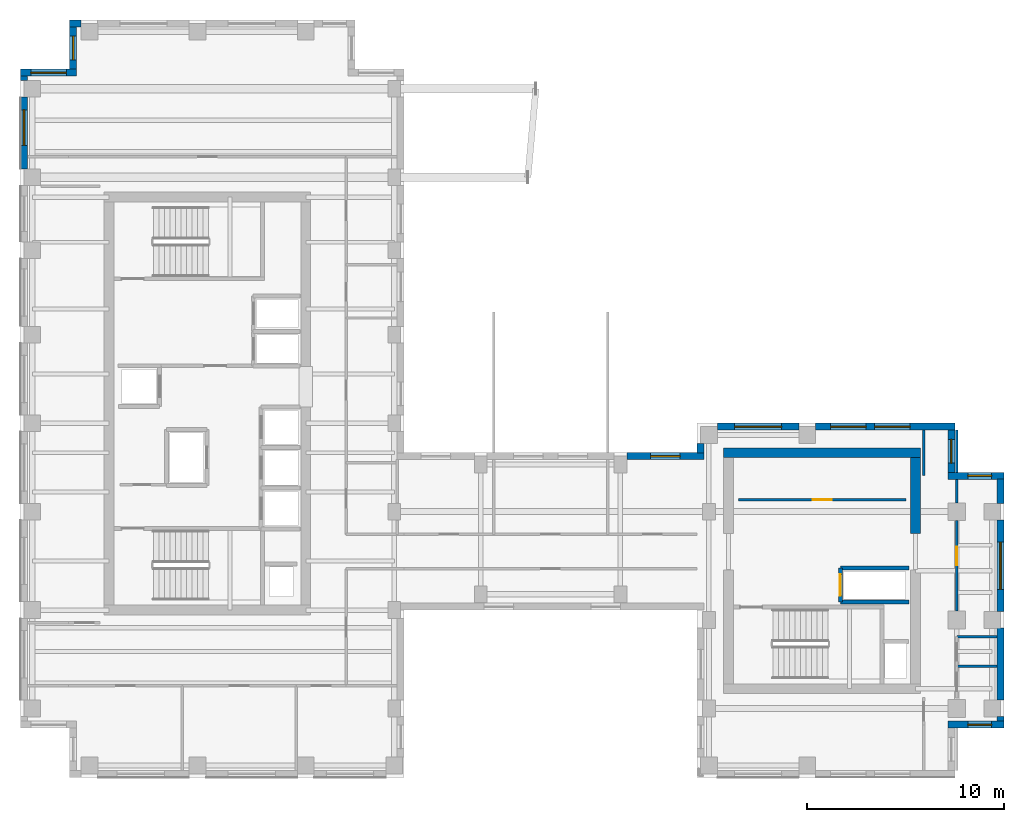
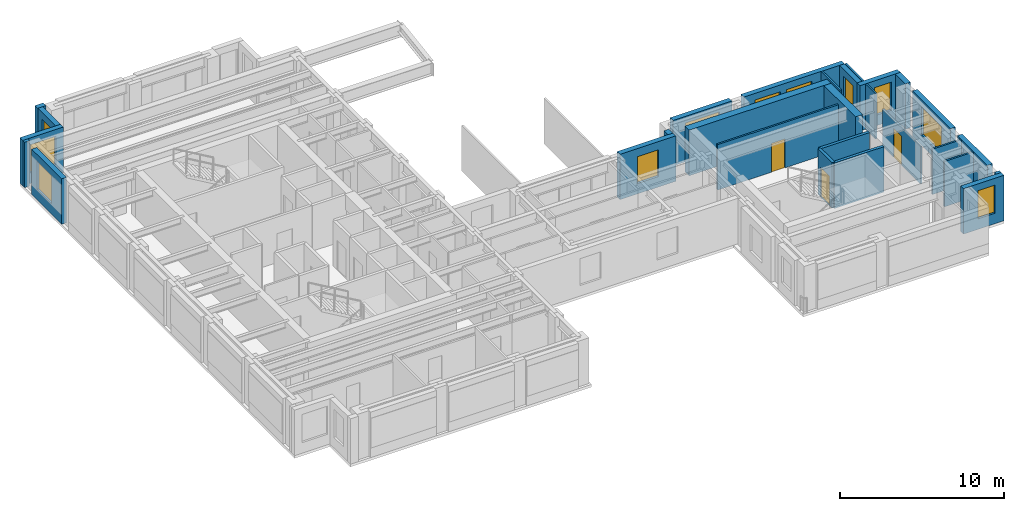
# One storey, part 8 of 11: 28 walls, 11 windows, 3 doors, 14 openings.
"""IFC4 building model written with IfcOpenShell, lengths in metres."""

from ifc_helpers import new_model, si_unit, direction, frame, frame_2d, origin, place, context, subcontext, project, spatial, rectangle, extrude, source, transform, mapped, material, layer, layer_set, type_object, element, fill, save


model = new_model("IFC4")

# Units and contexts
model_context = context("Model", 3, precision=1e-05, world=origin(), true_north=direction((0.0, 1.0)))
body_context = subcontext(model_context, "Body", "Model", "MODEL_VIEW")
ifc_project = project(units=[si_unit("LENGTHUNIT", "METRE"), si_unit("AREAUNIT", "SQUARE_METRE"), si_unit("VOLUMEUNIT", "CUBIC_METRE"), si_unit("PLANEANGLEUNIT", "RADIAN"), si_unit("MASSUNIT", "GRAM", prefix="KILO")], contexts=[model_context])

# Site, building, storey
site_placement = place(None, origin())
site = spatial("IfcSite", under=ifc_project, at=site_placement, CompositionType="ELEMENT")
building_placement = place(site_placement, origin())
building = spatial("IfcBuilding", under=site, at=building_placement, Name="Kharzan Plaza Tower", CompositionType="ELEMENT")
storey_placement = place(building_placement, frame((0.0, 0.0, 234.0)))
storey = spatial("IfcBuildingStorey", under=building, at=storey_placement, Name="L63", CompositionType="ELEMENT", Elevation=234.0)

# Wall, opening, window
ifc_material_1 = material(Name="Concrete C40/50", Category="concrete")
ifc_layer_1 = layer(ifc_material_1, 0.35009765625)
ifc_layer_set_1 = layer_set([ifc_layer_1], Name="Concrete C40/50")
wall_type_1 = type_object("IfcWallType", Name="WL-EXT-MAS-Z4", PredefinedType="SOLIDWALL", material=ifc_layer_set_1)
wall_1_placement = place(storey_placement, frame((2.675048828125, 38.152099609375, 0.0), z_axis=(0.0, 0.0, 1.0), x_axis=(0.0, -1.0, 0.0)))
wall_1 = element("IfcWall", 1, at=wall_1_placement, inside=storey, type_object=wall_type_1, Name="L63 Masonry-Frame Exterior Wall 13", PredefinedType="SOLIDWALL", context=body_context, shape_type="SweptSolid", body=[
    extrude(rectangle(XDim=2.154052734375, YDim=0.35009765625, at=frame_2d((1.0771484375, 0.0))), origin(), (0.0, 0.0, 1.0), 3.385009765625),
])
opening_1_placement = place(wall_1_placement, frame((0.47705078125, 0.0, 0.780029296875)))
opening_1 = element("IfcOpeningElement", 2, at=opening_1_placement, cuts=wall_1, Name="Opening W3", PredefinedType="OPENING", context=body_context, shape_type="SweptSolid", body=[
    extrude(rectangle(XDim=1.199951171875, YDim=2.10009765625, at=frame_2d((0.60009765625, 1.050048828125))), frame((0.0, 0.18505859375, 0.0), z_axis=(0.0, -1.0, 0.0), x_axis=(1.0, 0.0, 0.0)), (0.0, 0.0, 1.0), 0.3701171875),
])
ifc_material_2 = material(Name="Low-E Double Glazing", Category="glass")
window_type_1 = type_object("IfcWindowType", Name="WN-REC-1200x2100", PartitioningType="SINGLE_PANEL", PredefinedType="WINDOW", material=ifc_material_2)
shared_shape_1 = source(origin(), body_context, "Body", "SweptSolid", [
    extrude(rectangle(XDim=1.199951171875, YDim=2.10009765625, at=frame_2d((0.60009765625, 1.050048828125))), frame((0.0, 0.030029296875, 0.0), z_axis=(0.0, -1.0, 0.0), x_axis=(1.0, 0.0, 0.0)), (0.0, 0.0, 1.0), 0.06005859375),
])
window_1_placement = place(opening_1_placement, origin())
window_1 = element("IfcWindow", 3, at=window_1_placement, inside=storey, type_object=window_type_1, Name="L63 Recessed Solar-Control Window 13-1", OverallHeight=2.10009765625, OverallWidth=1.199951171875, PartitioningType="SINGLE_PANEL", PredefinedType="WINDOW", context=body_context, shape_type="MappedRepresentation", body=[
    mapped(shared_shape_1, transform((0.0, 0.0, 0.0), x_axis=(1.0, 0.0, 0.0), y_axis=(0.0, 1.0, 0.0), z_axis=(0.0, 0.0, 1.0))),
])
fill(opening_1, window_1)

wall_2_placement = place(storey_placement, frame((2.85009765625, 35.824951171875, 0.0), z_axis=(0.0, 0.0, 1.0), x_axis=(-1.0, 0.0, 0.0)))
wall_2 = element("IfcWall", 4, at=wall_2_placement, inside=storey, type_object=wall_type_1, Name="L63 Masonry-Frame Exterior Wall 14", PredefinedType="SOLIDWALL", context=body_context, shape_type="SweptSolid", body=[
    extrude(rectangle(XDim=2.85009765625, YDim=0.35009765625, at=frame_2d((1.425048828125, 0.0))), origin(), (0.0, 0.0, 1.0), 3.385009765625),
])
opening_2_placement = place(wall_2_placement, frame((0.52490234375, 0.0, 0.780029296875)))
opening_2 = element("IfcOpeningElement", 5, at=opening_2_placement, cuts=wall_2, Name="Opening W1", PredefinedType="OPENING", context=body_context, shape_type="SweptSolid", body=[
    extrude(rectangle(XDim=1.800048828125, YDim=2.10009765625, at=frame_2d((0.89990234375, 1.050048828125))), frame((0.0, 0.18505859375, 0.0), z_axis=(0.0, -1.0, 0.0), x_axis=(1.0, 0.0, 0.0)), (0.0, 0.0, 1.0), 0.3701171875),
])
window_type_2 = type_object("IfcWindowType", Name="WN-REC-1800x2100", PartitioningType="SINGLE_PANEL", PredefinedType="WINDOW", material=ifc_material_2)
shared_shape_2 = source(origin(), body_context, "Body", "SweptSolid", [
    extrude(rectangle(XDim=1.800048828125, YDim=2.10009765625, at=frame_2d((0.89990234375, 1.050048828125))), frame((0.0, 0.030029296875, 0.0), z_axis=(0.0, -1.0, 0.0), x_axis=(1.0, 0.0, 0.0)), (0.0, 0.0, 1.0), 0.06005859375),
])
window_2_placement = place(opening_2_placement, origin())
window_2 = element("IfcWindow", 6, at=window_2_placement, inside=storey, type_object=window_type_2, Name="L63 Recessed Solar-Control Window 14-1", OverallHeight=2.10009765625, OverallWidth=1.800048828125, PartitioningType="SINGLE_PANEL", PredefinedType="WINDOW", context=body_context, shape_type="MappedRepresentation", body=[
    mapped(shared_shape_2, transform((0.0, 0.0, 0.0), x_axis=(1.0, 0.0, 0.0), y_axis=(0.0, 1.0, 0.0), z_axis=(0.0, 0.0, 1.0))),
])
fill(opening_2, window_2)

wall_3_placement = place(storey_placement, frame((0.175048828125, 34.576904296875, 0.0), z_axis=(0.0, 0.0, 1.0), x_axis=(0.0, -1.0, 0.0)))
wall_3 = element("IfcWall", 7, at=wall_3_placement, inside=storey, type_object=wall_type_1, Name="L63 Masonry-Frame Exterior Wall 16", PredefinedType="SOLIDWALL", context=body_context, shape_type="SweptSolid", body=[
    extrude(rectangle(XDim=3.65380859375, YDim=0.35009765625, at=frame_2d((1.826904296875, 0.0))), origin(), (0.0, 0.0, 1.0), 3.385009765625),
])
opening_3_placement = place(wall_3_placement, frame((0.6484375, 0.0, 0.780029296875)))
opening_3 = element("IfcOpeningElement", 8, at=opening_3_placement, cuts=wall_3, Name="Opening W1", PredefinedType="OPENING", context=body_context, shape_type="SweptSolid", body=[
    extrude(rectangle(XDim=1.800048828125, YDim=2.10009765625, at=frame_2d((0.89990234375, 1.050048828125))), frame((0.0, 0.18505859375, 0.0), z_axis=(0.0, -1.0, 0.0), x_axis=(1.0, 0.0, 0.0)), (0.0, 0.0, 1.0), 0.3701171875),
])
window_3_placement = place(opening_3_placement, origin())
window_3 = element("IfcWindow", 9, at=window_3_placement, inside=storey, type_object=window_type_2, Name="L63 Recessed Solar-Control Window 16-1", OverallHeight=2.10009765625, OverallWidth=1.800048828125, PartitioningType="SINGLE_PANEL", PredefinedType="WINDOW", context=body_context, shape_type="MappedRepresentation", body=[
    mapped(shared_shape_2, transform((0.0, 0.0, 0.0), x_axis=(1.0, 0.0, 0.0), y_axis=(0.0, 1.0, 0.0), z_axis=(0.0, 0.0, 1.0))),
])
fill(opening_3, window_3)

wall_4_placement = place(storey_placement, frame((47.14990234375, 2.675048828125, 0.0), z_axis=(0.0, 0.0, 1.0), x_axis=(1.0, 0.0, 0.0)))
wall_4 = element("IfcWall", 10, at=wall_4_placement, inside=storey, type_object=wall_type_1, Name="L63 Masonry-Frame Exterior Wall 38", PredefinedType="SOLIDWALL", context=body_context, shape_type="SweptSolid", body=[
    extrude(rectangle(XDim=2.85009765625, YDim=0.35009765625, at=frame_2d((1.425048828125, 0.0))), origin(), (0.0, 0.0, 1.0), 3.385009765625),
])
opening_4_placement = place(wall_4_placement, frame((1.014892578125, 0.0, 0.780029296875)))
opening_4 = element("IfcOpeningElement", 11, at=opening_4_placement, cuts=wall_4, Name="Opening W3", PredefinedType="OPENING", context=body_context, shape_type="SweptSolid", body=[
    extrude(rectangle(XDim=1.199951171875, YDim=2.10009765625, at=frame_2d((0.60009765625, 1.050048828125))), frame((0.0, 0.18505859375, 0.0), z_axis=(0.0, -1.0, 0.0), x_axis=(1.0, 0.0, 0.0)), (0.0, 0.0, 1.0), 0.3701171875),
])
window_4_placement = place(opening_4_placement, origin())
window_4 = element("IfcWindow", 12, at=window_4_placement, inside=storey, type_object=window_type_1, Name="L63 Recessed Solar-Control Window 38-1", OverallHeight=2.10009765625, OverallWidth=1.199951171875, PartitioningType="SINGLE_PANEL", PredefinedType="WINDOW", context=body_context, shape_type="MappedRepresentation", body=[
    mapped(shared_shape_1, transform((0.0, 0.0, 0.0), x_axis=(1.0, 0.0, 0.0), y_axis=(0.0, 1.0, 0.0), z_axis=(0.0, 0.0, 1.0))),
])
fill(opening_4, window_4)

wall_5_placement = place(storey_placement, frame((49.824951171875, 8.423095703125, 0.0), z_axis=(0.0, 0.0, 1.0), x_axis=(0.0, 1.0, 0.0)))
wall_5 = element("IfcWall", 13, at=wall_5_placement, inside=storey, type_object=wall_type_1, Name="L63 Masonry-Frame Exterior Wall 41", PredefinedType="SOLIDWALL", context=body_context, shape_type="SweptSolid", body=[
    extrude(rectangle(XDim=4.65380859375, YDim=0.35009765625, at=frame_2d((2.326904296875, 0.0))), origin(), (0.0, 0.0, 1.0), 3.385009765625),
])
opening_5_placement = place(wall_5_placement, frame((1.126953125, 0.0, 0.780029296875)))
opening_5 = element("IfcOpeningElement", 14, at=opening_5_placement, cuts=wall_5, Name="Opening W2", PredefinedType="OPENING", context=body_context, shape_type="SweptSolid", body=[
    extrude(rectangle(XDim=2.39990234375, YDim=2.10009765625, at=frame_2d((1.199951171875, 1.050048828125))), frame((0.0, 0.18505859375, 0.0), z_axis=(0.0, -1.0, 0.0), x_axis=(1.0, 0.0, 0.0)), (0.0, 0.0, 1.0), 0.3701171875),
])
window_type_3 = type_object("IfcWindowType", Name="WN-REC-2400x2100", PartitioningType="SINGLE_PANEL", PredefinedType="WINDOW", material=ifc_material_2)
shared_shape_3 = source(origin(), body_context, "Body", "SweptSolid", [
    extrude(rectangle(XDim=2.39990234375, YDim=2.10009765625, at=frame_2d((1.199951171875, 1.050048828125))), frame((0.0, 0.030029296875, 0.0), z_axis=(0.0, -1.0, 0.0), x_axis=(1.0, 0.0, 0.0)), (0.0, 0.0, 1.0), 0.06005859375),
])
window_5_placement = place(opening_5_placement, origin())
window_5 = element("IfcWindow", 15, at=window_5_placement, inside=storey, type_object=window_type_3, Name="L63 Wide Recessed Solar-Control Window 41-1", OverallHeight=2.10009765625, OverallWidth=2.39990234375, PartitioningType="SINGLE_PANEL", PredefinedType="WINDOW", context=body_context, shape_type="MappedRepresentation", body=[
    mapped(shared_shape_3, transform((0.0, 0.0, 0.0), x_axis=(1.0, 0.0, 0.0), y_axis=(0.0, 1.0, 0.0), z_axis=(0.0, 0.0, 1.0))),
])
fill(opening_5, window_5)

wall_6_placement = place(storey_placement, frame((50.0, 15.324951171875, 0.0), z_axis=(0.0, 0.0, 1.0), x_axis=(-1.0, 0.0, 0.0)))
wall_6 = element("IfcWall", 16, at=wall_6_placement, inside=storey, type_object=wall_type_1, Name="L63 Masonry-Frame Exterior Wall 43", PredefinedType="SOLIDWALL", context=body_context, shape_type="SweptSolid", body=[
    extrude(rectangle(XDim=2.85009765625, YDim=0.35009765625, at=frame_2d((1.425048828125, 0.0))), origin(), (0.0, 0.0, 1.0), 3.385009765625),
])
opening_6_placement = place(wall_6_placement, frame((0.635009765625, 0.0, 0.780029296875)))
opening_6 = element("IfcOpeningElement", 17, at=opening_6_placement, cuts=wall_6, Name="Opening W3", PredefinedType="OPENING", context=body_context, shape_type="SweptSolid", body=[
    extrude(rectangle(XDim=1.199951171875, YDim=2.10009765625, at=frame_2d((0.60009765625, 1.050048828125))), frame((0.0, 0.18505859375, 0.0), z_axis=(0.0, -1.0, 0.0), x_axis=(1.0, 0.0, 0.0)), (0.0, 0.0, 1.0), 0.3701171875),
])
window_6_placement = place(opening_6_placement, origin())
window_6 = element("IfcWindow", 18, at=window_6_placement, inside=storey, type_object=window_type_1, Name="L63 Recessed Solar-Control Window 43-1", OverallHeight=2.10009765625, OverallWidth=1.199951171875, PartitioningType="SINGLE_PANEL", PredefinedType="WINDOW", context=body_context, shape_type="MappedRepresentation", body=[
    mapped(shared_shape_1, transform((0.0, 0.0, 0.0), x_axis=(1.0, 0.0, 0.0), y_axis=(0.0, 1.0, 0.0), z_axis=(0.0, 0.0, 1.0))),
])
fill(opening_6, window_6)

wall_7_placement = place(storey_placement, frame((47.324951171875, 15.498046875, 0.0), z_axis=(0.0, 0.0, 1.0), x_axis=(0.0, 1.0, 0.0)))
wall_7 = element("IfcWall", 19, at=wall_7_placement, inside=storey, type_object=wall_type_1, Name="L63 Masonry-Frame Exterior Wall 44", PredefinedType="SOLIDWALL", context=body_context, shape_type="SweptSolid", body=[
    extrude(rectangle(XDim=2.154052734375, YDim=0.35009765625, at=frame_2d((1.0771484375, 0.0))), origin(), (0.0, 0.0, 1.0), 3.385009765625),
])
opening_7_placement = place(wall_7_placement, frame((0.47705078125, 0.0, 0.780029296875)))
opening_7 = element("IfcOpeningElement", 20, at=opening_7_placement, cuts=wall_7, Name="Opening W3", PredefinedType="OPENING", context=body_context, shape_type="SweptSolid", body=[
    extrude(rectangle(XDim=1.199951171875, YDim=2.10009765625, at=frame_2d((0.60009765625, 1.050048828125))), frame((0.0, 0.18505859375, 0.0), z_axis=(0.0, -1.0, 0.0), x_axis=(1.0, 0.0, 0.0)), (0.0, 0.0, 1.0), 0.3701171875),
])
window_7_placement = place(opening_7_placement, origin())
window_7 = element("IfcWindow", 21, at=window_7_placement, inside=storey, type_object=window_type_1, Name="L63 Recessed Solar-Control Window 44-1", OverallHeight=2.10009765625, OverallWidth=1.199951171875, PartitioningType="SINGLE_PANEL", PredefinedType="WINDOW", context=body_context, shape_type="MappedRepresentation", body=[
    mapped(shared_shape_1, transform((0.0, 0.0, 0.0), x_axis=(1.0, 0.0, 0.0), y_axis=(0.0, 1.0, 0.0), z_axis=(0.0, 0.0, 1.0))),
])
fill(opening_7, window_7)

# Wall, openings, windows
wall_8_placement = place(storey_placement, frame((47.5, 17.824951171875, 0.0), z_axis=(0.0, 0.0, 1.0), x_axis=(-1.0, 0.0, 0.0)))
wall_8 = element("IfcWall", 22, at=wall_8_placement, inside=storey, type_object=wall_type_1, Name="L63 Masonry-Frame Exterior Wall 45", PredefinedType="SOLIDWALL", context=body_context, shape_type="SweptSolid", body=[
    extrude(rectangle(XDim=7.076904296875, YDim=0.35009765625, at=frame_2d((3.53857421875, 0.0))), origin(), (0.0, 0.0, 1.0), 3.385009765625),
])
opening_8_placement = place(wall_8_placement, frame((2.272216796875, 0.0, 0.780029296875)))
opening_8 = element("IfcOpeningElement", 23, at=opening_8_placement, cuts=wall_8, Name="Opening W1", PredefinedType="OPENING", context=body_context, shape_type="SweptSolid", body=[
    extrude(rectangle(XDim=1.800048828125, YDim=2.10009765625, at=frame_2d((0.89990234375, 1.050048828125))), frame((0.0, 0.18505859375, 0.0), z_axis=(0.0, -1.0, 0.0), x_axis=(1.0, 0.0, 0.0)), (0.0, 0.0, 1.0), 0.3701171875),
])
opening_9_placement = place(wall_8_placement, frame((4.5146484375, 0.0, 0.780029296875)))
opening_9 = element("IfcOpeningElement", 24, at=opening_9_placement, cuts=wall_8, Name="Opening W1", PredefinedType="OPENING", context=body_context, shape_type="SweptSolid", body=[
    extrude(rectangle(XDim=1.800048828125, YDim=2.10009765625, at=frame_2d((0.89990234375, 1.050048828125))), frame((0.0, 0.18505859375, 0.0), z_axis=(0.0, -1.0, 0.0), x_axis=(1.0, 0.0, 0.0)), (0.0, 0.0, 1.0), 0.3701171875),
])
window_8_placement = place(opening_8_placement, origin())
window_8 = element("IfcWindow", 25, at=window_8_placement, inside=storey, type_object=window_type_2, Name="L63 Recessed Solar-Control Window 45-1", OverallHeight=2.10009765625, OverallWidth=1.800048828125, PartitioningType="SINGLE_PANEL", PredefinedType="WINDOW", context=body_context, shape_type="MappedRepresentation", body=[
    mapped(shared_shape_2, transform((0.0, 0.0, 0.0), x_axis=(1.0, 0.0, 0.0), y_axis=(0.0, 1.0, 0.0), z_axis=(0.0, 0.0, 1.0))),
])
fill(opening_8, window_8)
window_9_placement = place(opening_9_placement, origin())
window_9 = element("IfcWindow", 26, at=window_9_placement, inside=storey, type_object=window_type_2, Name="L63 Recessed Solar-Control Window 45-2", OverallHeight=2.10009765625, OverallWidth=1.800048828125, PartitioningType="SINGLE_PANEL", PredefinedType="WINDOW", context=body_context, shape_type="MappedRepresentation", body=[
    mapped(shared_shape_2, transform((0.0, 0.0, 0.0), x_axis=(1.0, 0.0, 0.0), y_axis=(0.0, 1.0, 0.0), z_axis=(0.0, 0.0, 1.0))),
])
fill(opening_9, window_9)

# Wall, opening, window
wall_9_placement = place(storey_placement, frame((39.576904296875, 17.824951171875, 0.0), z_axis=(0.0, 0.0, 1.0), x_axis=(-1.0, 0.0, 0.0)))
wall_9 = element("IfcWall", 27, at=wall_9_placement, inside=storey, type_object=wall_type_1, Name="L63 Masonry-Frame Exterior Wall 46", PredefinedType="SOLIDWALL", context=body_context, shape_type="SweptSolid", body=[
    extrude(rectangle(XDim=4.15380859375, YDim=0.35009765625, at=frame_2d((2.076904296875, 0.0))), origin(), (0.0, 0.0, 1.0), 3.385009765625),
])
opening_10_placement = place(wall_9_placement, frame((0.876953125, 0.0, 0.780029296875)))
opening_10 = element("IfcOpeningElement", 28, at=opening_10_placement, cuts=wall_9, Name="Opening W2", PredefinedType="OPENING", context=body_context, shape_type="SweptSolid", body=[
    extrude(rectangle(XDim=2.39990234375, YDim=2.10009765625, at=frame_2d((1.199951171875, 1.050048828125))), frame((0.0, 0.18505859375, 0.0), z_axis=(0.0, -1.0, 0.0), x_axis=(1.0, 0.0, 0.0)), (0.0, 0.0, 1.0), 0.3701171875),
])
window_10_placement = place(opening_10_placement, origin())
window_10 = element("IfcWindow", 29, at=window_10_placement, inside=storey, type_object=window_type_3, Name="L63 Wide Recessed Solar-Control Window 46-1", OverallHeight=2.10009765625, OverallWidth=2.39990234375, PartitioningType="SINGLE_PANEL", PredefinedType="WINDOW", context=body_context, shape_type="MappedRepresentation", body=[
    mapped(shared_shape_3, transform((0.0, 0.0, 0.0), x_axis=(1.0, 0.0, 0.0), y_axis=(0.0, 1.0, 0.0), z_axis=(0.0, 0.0, 1.0))),
])
fill(opening_10, window_10)

wall_10_placement = place(storey_placement, frame((34.75, 16.324951171875, 0.0), z_axis=(0.0, 0.0, 1.0), x_axis=(-1.0, 0.0, 0.0)))
wall_10 = element("IfcWall", 30, at=wall_10_placement, inside=storey, type_object=wall_type_1, Name="L63 Masonry-Frame Exterior Wall 48", PredefinedType="SOLIDWALL", context=body_context, shape_type="SweptSolid", body=[
    extrude(rectangle(XDim=3.927001953125, YDim=0.35009765625, at=frame_2d((1.96337890625, 0.0))), origin(), (0.0, 0.0, 1.0), 3.385009765625),
])
opening_11_placement = place(wall_10_placement, frame((1.21337890625, 0.0, 0.780029296875)))
opening_11 = element("IfcOpeningElement", 31, at=opening_11_placement, cuts=wall_10, Name="Opening W5", PredefinedType="OPENING", context=body_context, shape_type="SweptSolid", body=[
    extrude(rectangle(XDim=1.5, YDim=2.0, at=frame_2d((0.75, 1.0))), frame((0.0, 0.18505859375, 0.0), z_axis=(0.0, -1.0, 0.0), x_axis=(1.0, 0.0, 0.0)), (0.0, 0.0, 1.0), 0.3701171875),
])
window_type_4 = type_object("IfcWindowType", Name="WN-SLT-1500x2000", PartitioningType="SINGLE_PANEL", PredefinedType="WINDOW", material=ifc_material_2)
shared_shape_4 = source(origin(), body_context, "Body", "SweptSolid", [
    extrude(rectangle(XDim=1.5, YDim=2.0, at=frame_2d((0.75, 1.0))), frame((0.0, 0.030029296875, 0.0), z_axis=(0.0, -1.0, 0.0), x_axis=(1.0, 0.0, 0.0)), (0.0, 0.0, 1.0), 0.06005859375),
])
window_11_placement = place(opening_11_placement, origin())
window_11 = element("IfcWindow", 32, at=window_11_placement, inside=storey, type_object=window_type_4, Name="L63 Recessed Solar-Control Window 48-1", OverallHeight=2.0, OverallWidth=1.5, PartitioningType="SINGLE_PANEL", PredefinedType="WINDOW", context=body_context, shape_type="MappedRepresentation", body=[
    mapped(shared_shape_4, transform((0.0, 0.0, 0.0), x_axis=(1.0, 0.0, 0.0), y_axis=(0.0, 1.0, 0.0), z_axis=(0.0, 0.0, 1.0))),
])
fill(opening_11, window_11)

# Wall, opening, door
ifc_material_3 = material(Name="Fire-Rated Gypsum Board Partition", Category="gypsum")
ifc_layer_2 = layer(ifc_material_3, 0.125)
ifc_layer_set_2 = layer_set([ifc_layer_2], Name="Fire-Rated Gypsum Board Partition")
wall_type_2 = type_object("IfcWallType", Name="WL-INT-PART-125", PredefinedType="PARTITIONING", material=ifc_layer_set_2)
wall_11_placement = place(storey_placement, frame((36.5, 14.1201171875, 0.0), z_axis=(0.0, 0.0, 1.0), x_axis=(1.0, 0.0, 0.0)))
wall_11 = element("IfcWall", 33, at=wall_11_placement, inside=storey, type_object=wall_type_2, Name="L63 Interior Partition CB-RBLS1", PredefinedType="PARTITIONING", context=body_context, shape_type="SweptSolid", body=[
    extrude(rectangle(XDim=8.52001953125, YDim=0.125, at=frame_2d((4.260009765625, 0.0))), origin(), (0.0, 0.0, 1.0), 3.385009765625),
])
opening_12_placement = place(wall_11_placement, frame((3.784912109375, 0.0, 0.0)))
opening_12 = element("IfcOpeningElement", 34, at=opening_12_placement, cuts=wall_11, Name="Opening OD1", PredefinedType="OPENING", context=body_context, shape_type="SweptSolid", body=[
    extrude(rectangle(XDim=0.949951171875, YDim=2.14990234375, at=frame_2d((0.47509765625, 1.074951171875))), frame((0.0, 0.072509765625, 0.0), z_axis=(0.0, -1.0, 0.0), x_axis=(1.0, 0.0, 0.0)), (0.0, 0.0, 1.0), 0.14501953125),
])
ifc_material_4 = material(Name="Acoustic Solid-Core Stained Oak", Category="timber")
door_type_1 = type_object("IfcDoorType", Name="DR-OFF-SINGLE", OperationType="NOTDEFINED", PredefinedType="DOOR", material=ifc_material_4)
shared_shape_5 = source(origin(), body_context, "Body", "SweptSolid", [
    extrude(rectangle(XDim=0.949951171875, YDim=2.14990234375, at=frame_2d((0.47509765625, 1.074951171875))), frame((0.0, 0.02490234375, 0.0), z_axis=(0.0, -1.0, 0.0), x_axis=(1.0, 0.0, 0.0)), (0.0, 0.0, 1.0), 0.050048828125),
])
door_1_placement = place(opening_12_placement, origin())
door_1 = element("IfcDoor", 35, at=door_1_placement, inside=storey, type_object=door_type_1, Name="L63 Mail Room Door", OperationType="SINGLE_SWING_RIGHT", OverallHeight=2.14990234375, OverallWidth=0.949951171875, PredefinedType="DOOR", context=body_context, shape_type="MappedRepresentation", body=[
    mapped(shared_shape_5, transform((0.0, 0.0, 0.0), x_axis=(1.0, 0.0, 0.0), y_axis=(0.0, 1.0, 0.0), z_axis=(0.0, 0.0, 1.0))),
])
fill(opening_12, door_1)

wall_12_placement = place(storey_placement, frame((47.60009765625, 8.449951171875, 0.0), z_axis=(0.0, 0.0, 1.0), x_axis=(0.0, 1.0, 0.0)))
wall_12 = element("IfcWall", 36, at=wall_12_placement, inside=storey, type_object=wall_type_2, Name="L63 Interior Partition SH-B0W1-S1", PredefinedType="PARTITIONING", context=body_context, shape_type="SweptSolid", body=[
    extrude(rectangle(XDim=4.60009765625, YDim=0.125, at=frame_2d((2.300048828125, 0.0))), origin(), (0.0, 0.0, 1.0), 2.77294921875),
])
opening_13_placement = place(wall_12_placement, frame((2.324951171875, 0.0, 0.0)))
opening_13 = element("IfcOpeningElement", 37, at=opening_13_placement, cuts=wall_12, Name="Opening OD1", PredefinedType="OPENING", context=body_context, shape_type="SweptSolid", body=[
    extrude(rectangle(XDim=0.949951171875, YDim=2.14990234375, at=frame_2d((0.47509765625, 1.074951171875))), frame((0.0, 0.072509765625, 0.0), z_axis=(0.0, -1.0, 0.0), x_axis=(1.0, 0.0, 0.0)), (0.0, 0.0, 1.0), 0.14501953125),
])
door_2_placement = place(opening_13_placement, origin())
door_2 = element("IfcDoor", 38, at=door_2_placement, inside=storey, type_object=door_type_1, Name="L63 Open Engineering Workspace Door", OperationType="SINGLE_SWING_LEFT", OverallHeight=2.14990234375, OverallWidth=0.949951171875, PredefinedType="DOOR", context=body_context, shape_type="MappedRepresentation", body=[
    mapped(shared_shape_5, transform((0.0, 0.0, 0.0), x_axis=(1.0, 0.0, 0.0), y_axis=(0.0, 1.0, 0.0), z_axis=(0.0, 0.0, 1.0))),
])
fill(opening_13, door_2)

ifc_layer_3 = layer(ifc_material_1, 0.199951171875)
ifc_layer_set_3 = layer_set([ifc_layer_3], Name="Concrete C40/50")
wall_type_3 = type_object("IfcWallType", Name="WL-INT-SHAFT-200", PredefinedType="PARTITIONING", material=ifc_layer_set_3)
wall_13_placement = place(storey_placement, frame((41.679931640625, 8.89990234375, 0.0), z_axis=(0.0, 0.0, 1.0), x_axis=(0.0, 1.0, 0.0)))
wall_13 = element("IfcWall", 39, at=wall_13_placement, inside=storey, type_object=wall_type_3, Name="L63 Interior Partition SHF-SVL-2-W", PredefinedType="PARTITIONING", context=body_context, shape_type="SweptSolid", body=[
    extrude(rectangle(XDim=1.739990234375, YDim=0.199951171875, at=frame_2d((0.8701171875, 0.0))), origin(), (0.0, 0.0, 1.0), 3.385009765625),
])
opening_14_placement = place(wall_13_placement, frame((0.320068359375, 0.0, 0.0)))
opening_14 = element("IfcOpeningElement", 40, at=opening_14_placement, cuts=wall_13, Name="Opening LD", PredefinedType="OPENING", context=body_context, shape_type="SweptSolid", body=[
    extrude(rectangle(XDim=1.10009765625, YDim=2.199951171875, at=frame_2d((0.550048828125, 1.10009765625))), frame((0.0, 0.10986328125, 0.0), z_axis=(0.0, -1.0, 0.0), x_axis=(1.0, 0.0, 0.0)), (0.0, 0.0, 1.0), 0.219970703125),
])
ifc_material_5 = material(Name="Brushed Stainless Steel", Category="steel")
door_type_2 = type_object("IfcDoorType", Name="DR-LIFT-SLIDE", OperationType="SLIDING_TO_LEFT", PredefinedType="DOOR", material=ifc_material_5)
shared_shape_6 = source(origin(), body_context, "Body", "SweptSolid", [
    extrude(rectangle(XDim=1.10009765625, YDim=2.199951171875, at=frame_2d((0.550048828125, 1.10009765625))), frame((0.0, 0.02490234375, 0.0), z_axis=(0.0, -1.0, 0.0), x_axis=(1.0, 0.0, 0.0)), (0.0, 0.0, 1.0), 0.050048828125),
])
door_3_placement = place(opening_14_placement, origin())
door_3 = element("IfcDoor", 41, at=door_3_placement, inside=storey, type_object=door_type_2, Name="L63 Service Lift SVL-2 Sliding Landing Door", OperationType="SLIDING_TO_LEFT", OverallHeight=2.199951171875, OverallWidth=1.10009765625, PredefinedType="DOOR", context=body_context, shape_type="MappedRepresentation", body=[
    mapped(shared_shape_6, transform((0.0, 0.0, 0.0), x_axis=(1.0, 0.0, 0.0), y_axis=(0.0, 1.0, 0.0), z_axis=(0.0, 0.0, 1.0))),
])
fill(opening_14, door_3)

# Walls
shared_shape_7 = source(origin(), body_context, "Body", "SweptSolid", [
    extrude(rectangle(XDim=2.2978515625, YDim=0.125, at=frame_2d((1.14892578125, 0.0))), origin(), (0.0, 0.0, 1.0), 3.385009765625),
])
wall_14_placement = place(storey_placement, frame((45.919921875, 15.35009765625, 0.0), z_axis=(0.0, 0.0, 1.0), x_axis=(0.0, 1.0, 0.0)))
element("IfcWall", 42, at=wall_14_placement, inside=storey, type_object=wall_type_2, Name="L63 Interior Partition SH-RBNE0", PredefinedType="PARTITIONING", context=body_context, shape_type="MappedRepresentation", body=[
    mapped(shared_shape_7, transform((0.0, 0.0, 0.0), x_axis=(1.0, 0.0, 0.0), y_axis=(0.0, 1.0, 0.0), z_axis=(0.0, 0.0, 1.0))),
])
shared_shape_8 = source(origin(), body_context, "Body", "SweptSolid", [
    extrude(rectangle(XDim=3.489990234375, YDim=0.199951171875, at=frame_2d((1.7451171875, 0.0))), origin(), (0.0, 0.0, 1.0), 3.385009765625),
])
for number, where, z_axis, x_axis, name in (
    (43, (41.679931640625, 10.639892578125, 0.0), (0.0, 0.0, 1.0), (1.0, 0.0, 0.0), "L63 Interior Partition SHF-SVL-2-N"),
    (44, (41.679931640625, 8.89990234375, 0.0), (0.0, 0.0, 1.0), (1.0, 0.0, 0.0), "L63 Interior Partition SHF-SVL-2-S"),
):
    element("IfcWall", number, at=place(storey_placement, frame(where, z_axis=z_axis, x_axis=x_axis)), inside=storey, type_object=wall_type_3, Name=name, PredefinedType="PARTITIONING", context=body_context, shape_type="MappedRepresentation", body=[
        mapped(shared_shape_8, transform((0.0, 0.0, 0.0), x_axis=(1.0, 0.0, 0.0), y_axis=(0.0, 1.0, 0.0), z_axis=(0.0, 0.0, 1.0))),
    ])
shared_shape_9 = source(origin(), body_context, "Body", "SweptSolid", [
    extrude(rectangle(XDim=0.576904296875, YDim=0.35009765625, at=frame_2d((0.28857421875, 0.0))), origin(), (0.0, 0.0, 1.0), 3.385009765625),
])
wall_15_placement = place(storey_placement, frame((3.076904296875, 38.324951171875, 0.0), z_axis=(0.0, 0.0, 1.0), x_axis=(-1.0, 0.0, 0.0)))
element("IfcWall", 45, at=wall_15_placement, inside=storey, type_object=wall_type_1, Name="L63 Masonry-Frame Exterior Wall 12", PredefinedType="SOLIDWALL", context=body_context, shape_type="MappedRepresentation", body=[
    mapped(shared_shape_9, transform((0.0, 0.0, 0.0), x_axis=(1.0, 0.0, 0.0), y_axis=(0.0, 1.0, 0.0), z_axis=(0.0, 0.0, 1.0))),
])
shared_shape_10 = source(origin(), body_context, "Body", "SweptSolid", [
    extrude(rectangle(XDim=0.22900390625, YDim=0.35009765625, at=frame_2d((0.114501953125, 0.0))), origin(), (0.0, 0.0, 1.0), 3.385009765625),
])
for number, where, z_axis, x_axis, name in (
    (46, (0.175048828125, 35.652099609375, 0.0), (0.0, 0.0, 1.0), (0.0, -1.0, 0.0), "L63 Masonry-Frame Exterior Wall 15"),
    (47, (49.824951171875, 2.847900390625, 0.0), (0.0, 0.0, 1.0), (0.0, 1.0, 0.0), "L63 Masonry-Frame Exterior Wall 39"),
):
    element("IfcWall", number, at=place(storey_placement, frame(where, z_axis=z_axis, x_axis=x_axis)), inside=storey, type_object=wall_type_1, Name=name, PredefinedType="SOLIDWALL", context=body_context, shape_type="MappedRepresentation", body=[
        mapped(shared_shape_10, transform((0.0, 0.0, 0.0), x_axis=(1.0, 0.0, 0.0), y_axis=(0.0, 1.0, 0.0), z_axis=(0.0, 0.0, 1.0))),
    ])
shared_shape_11 = source(origin(), body_context, "Body", "SweptSolid", [
    extrude(rectangle(XDim=3.65380859375, YDim=0.35009765625, at=frame_2d((1.826904296875, 0.0))), origin(), (0.0, 0.0, 1.0), 3.385009765625),
])
wall_16_placement = place(storey_placement, frame((49.824951171875, 3.923095703125, 0.0), z_axis=(0.0, 0.0, 1.0), x_axis=(0.0, 1.0, 0.0)))
element("IfcWall", 48, at=wall_16_placement, inside=storey, type_object=wall_type_1, Name="L63 Masonry-Frame Exterior Wall 40", PredefinedType="SOLIDWALL", context=body_context, shape_type="MappedRepresentation", body=[
    mapped(shared_shape_11, transform((0.0, 0.0, 0.0), x_axis=(1.0, 0.0, 0.0), y_axis=(0.0, 1.0, 0.0), z_axis=(0.0, 0.0, 1.0))),
])
shared_shape_12 = source(origin(), body_context, "Body", "SweptSolid", [
    extrude(rectangle(XDim=1.22900390625, YDim=0.35009765625, at=frame_2d((0.614501953125, 0.0))), origin(), (0.0, 0.0, 1.0), 3.385009765625),
])
wall_17_placement = place(storey_placement, frame((49.824951171875, 13.923095703125, 0.0), z_axis=(0.0, 0.0, 1.0), x_axis=(0.0, 1.0, 0.0)))
element("IfcWall", 49, at=wall_17_placement, inside=storey, type_object=wall_type_1, Name="L63 Masonry-Frame Exterior Wall 42", PredefinedType="SOLIDWALL", context=body_context, shape_type="MappedRepresentation", body=[
    mapped(shared_shape_12, transform((0.0, 0.0, 0.0), x_axis=(1.0, 0.0, 0.0), y_axis=(0.0, 1.0, 0.0), z_axis=(0.0, 0.0, 1.0))),
])
shared_shape_13 = source(origin(), body_context, "Body", "SweptSolid", [
    extrude(rectangle(XDim=2.0478515625, YDim=0.125, at=frame_2d((1.02392578125, 0.0))), origin(), (0.0, 0.0, 1.0), 3.385009765625),
])
for number, where, z_axis, x_axis, name in (
    (50, (47.60009765625, 5.64990234375, 0.0), (0.0, 0.0, 1.0), (1.0, 0.0, 0.0), "L63 Interior Partition SH-B0H1"),
    (51, (47.60009765625, 7.14990234375, 0.0), (0.0, 0.0, 1.0), (1.0, 0.0, 0.0), "L63 Interior Partition SH-B0H2"),
):
    element("IfcWall", number, at=place(storey_placement, frame(where, z_axis=z_axis, x_axis=x_axis)), inside=storey, type_object=wall_type_2, Name=name, PredefinedType="PARTITIONING", context=body_context, shape_type="MappedRepresentation", body=[
        mapped(shared_shape_13, transform((0.0, 0.0, 0.0), x_axis=(1.0, 0.0, 0.0), y_axis=(0.0, 1.0, 0.0), z_axis=(0.0, 0.0, 1.0))),
    ])
shared_shape_14 = source(origin(), body_context, "Body", "SweptSolid", [
    extrude(rectangle(XDim=2.14794921875, YDim=0.125, at=frame_2d((1.073974609375, 0.0))), origin(), (0.0, 0.0, 1.0), 3.385009765625),
])
wall_18_placement = place(storey_placement, frame((47.60009765625, 15.501953125, 0.0), z_axis=(0.0, 0.0, 1.0), x_axis=(0.0, 1.0, 0.0)))
element("IfcWall", 52, at=wall_18_placement, inside=storey, type_object=wall_type_2, Name="L63 Interior Partition SH-B0W1N", PredefinedType="PARTITIONING", context=body_context, shape_type="MappedRepresentation", body=[
    mapped(shared_shape_14, transform((0.0, 0.0, 0.0), x_axis=(1.0, 0.0, 0.0), y_axis=(0.0, 1.0, 0.0), z_axis=(0.0, 0.0, 1.0))),
])
shared_shape_15 = source(origin(), body_context, "Body", "SweptSolid", [
    extrude(rectangle(XDim=1.197998046875, YDim=0.125, at=frame_2d((0.59912109375, 0.0))), origin(), (0.0, 0.0, 1.0), 3.385009765625),
])
wall_19_placement = place(storey_placement, frame((47.60009765625, 13.949951171875, 0.0), z_axis=(0.0, 0.0, 1.0), x_axis=(0.0, 1.0, 0.0)))
element("IfcWall", 53, at=wall_19_placement, inside=storey, type_object=wall_type_2, Name="L63 Interior Partition SH-B0W1-S2", PredefinedType="PARTITIONING", context=body_context, shape_type="MappedRepresentation", body=[
    mapped(shared_shape_15, transform((0.0, 0.0, 0.0), x_axis=(1.0, 0.0, 0.0), y_axis=(0.0, 1.0, 0.0), z_axis=(0.0, 0.0, 1.0))),
])
ifc_material_6 = material(Name="Concrete C50/60", Category="concrete")
ifc_layer_4 = layer(ifc_material_6, 0.5)
ifc_layer_set_4 = layer_set([ifc_layer_4], Name="Concrete C50/60")
wall_type_4 = type_object("IfcWallType", Name="WL-CORE-500", PredefinedType="SHEAR", material=ifc_layer_set_4)
shared_shape_16 = source(origin(), body_context, "Body", "SweptSolid", [
    extrude(rectangle(XDim=3.85009765625, YDim=0.5, at=frame_2d((1.925048828125, 0.0))), origin(), (0.0, 0.0, 1.0), 3.39990234375),
])
wall_20_placement = place(storey_placement, frame((45.5, 12.39990234375, 0.0), z_axis=(0.0, 0.0, 1.0), x_axis=(0.0, 1.0, 0.0)))
element("IfcWall", 54, at=wall_20_placement, inside=storey, type_object=wall_type_4, Name="L63 CORE-B east shear pier 2", PredefinedType="SHEAR", context=body_context, shape_type="MappedRepresentation", body=[
    mapped(shared_shape_16, transform((0.0, 0.0, 0.0), x_axis=(1.0, 0.0, 0.0), y_axis=(0.0, 1.0, 0.0), z_axis=(0.0, 0.0, 1.0))),
])
shared_shape_17 = source(origin(), body_context, "Body", "SweptSolid", [
    extrude(rectangle(XDim=10.0, YDim=0.5, at=frame_2d((5.0, 0.0))), origin(), (0.0, 0.0, 1.0), 3.39990234375),
])
wall_21_placement = place(storey_placement, frame((35.75, 16.5, 0.0), z_axis=(0.0, 0.0, 1.0), x_axis=(1.0, 0.0, 0.0)))
element("IfcWall", 55, at=wall_21_placement, inside=storey, type_object=wall_type_4, Name="L63 CORE-B north RC shear wall", PredefinedType="SHEAR", context=body_context, shape_type="MappedRepresentation", body=[
    mapped(shared_shape_17, transform((0.0, 0.0, 0.0), x_axis=(1.0, 0.0, 0.0), y_axis=(0.0, 1.0, 0.0), z_axis=(0.0, 0.0, 1.0))),
])
shared_shape_18 = source(origin(), body_context, "Body", "SweptSolid", [
    extrude(rectangle(XDim=0.47900390625, YDim=0.35009765625, at=frame_2d((0.239501953125, 0.0))), origin(), (0.0, 0.0, 1.0), 3.385009765625),
])
wall_22_placement = place(storey_placement, frame((34.574951171875, 16.97705078125, 0.0), z_axis=(0.0, 0.0, 1.0), x_axis=(0.0, -1.0, 0.0)))
element("IfcWall", 56, at=wall_22_placement, inside=storey, type_object=wall_type_1, Name="L63 Masonry-Frame Exterior Wall 47", PredefinedType="SOLIDWALL", context=body_context, shape_type="MappedRepresentation", body=[
    mapped(shared_shape_18, transform((0.0, 0.0, 0.0), x_axis=(1.0, 0.0, 0.0), y_axis=(0.0, 1.0, 0.0), z_axis=(0.0, 0.0, 1.0))),
])

save(model, "model.ifc")
